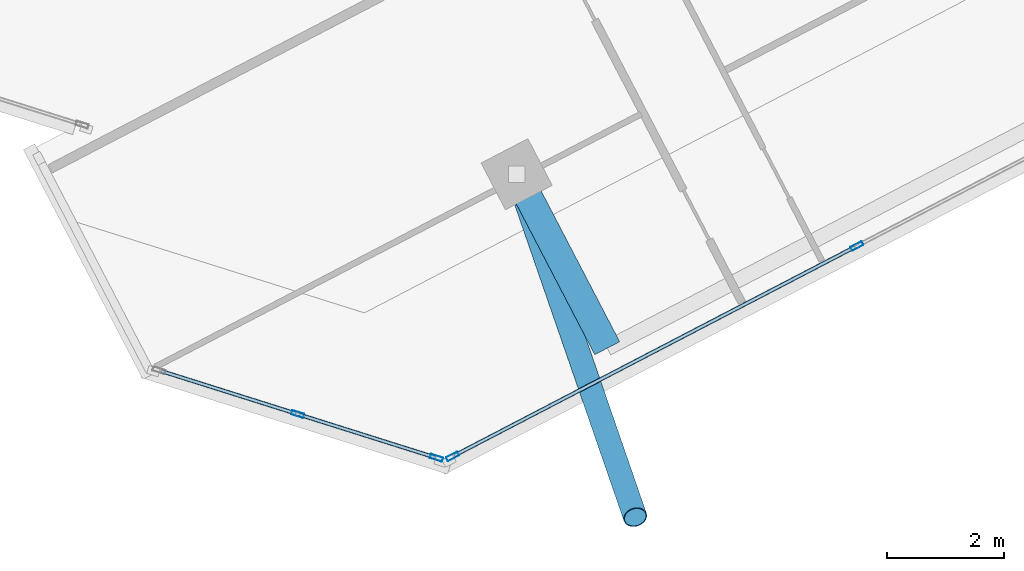
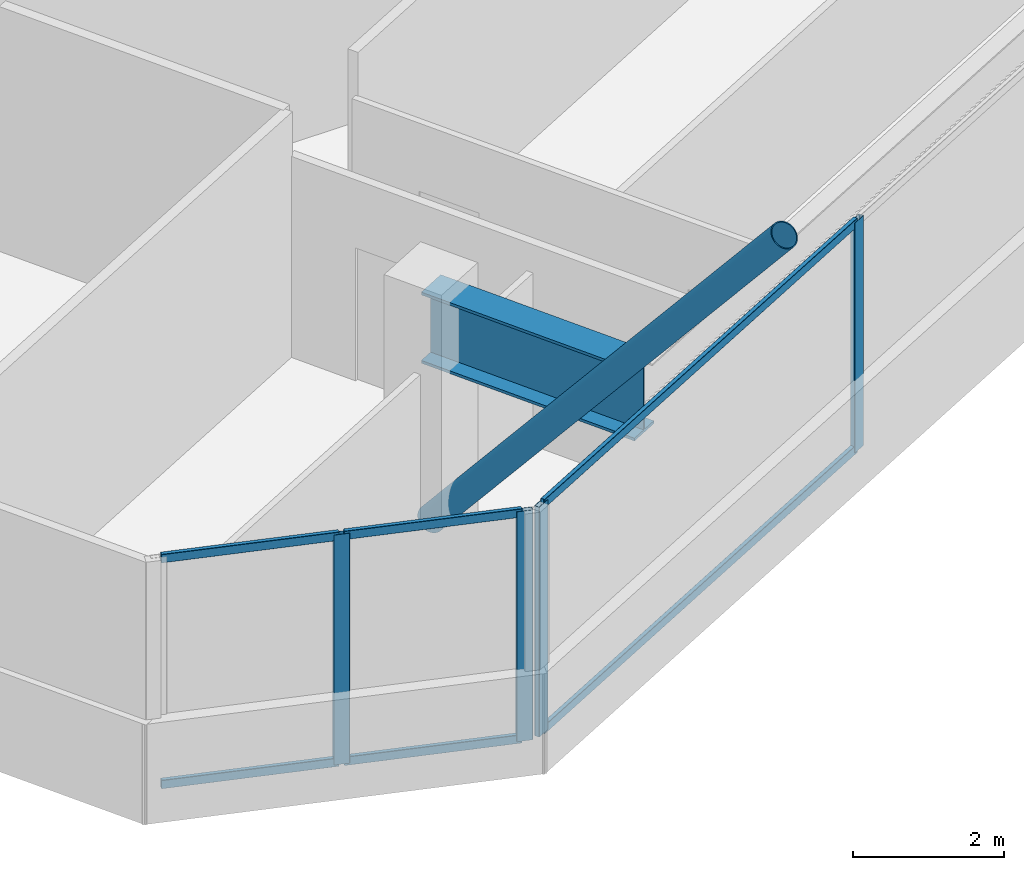
# One storey, part 3 of 17: 11 members, 1 beam, 2 elements without a shape of their own.
"""IFC4 building model written with IfcOpenShell, lengths in metres."""

from ifc_helpers import new_model, si_unit, direction, frame, origin, origin_2d, place, context, subcontext, project, spatial, hollow_rectangle, hollow_circle, i_section, extrude, source, transform, mapped, material, material_profile, profile_set, type_object, element, aggregate, save


model = new_model("IFC4")

# Units and contexts
model_context = context("Model", 3, precision=1e-05, world=origin(), true_north=direction((0.0, 1.0)))
body_context = subcontext(model_context, "Body", "Model", "MODEL_VIEW")
ifc_project = project(units=[si_unit("LENGTHUNIT", "METRE"), si_unit("AREAUNIT", "SQUARE_METRE"), si_unit("VOLUMEUNIT", "CUBIC_METRE"), si_unit("PLANEANGLEUNIT", "RADIAN"), si_unit("MASSUNIT", "GRAM", prefix="KILO")], contexts=[model_context])

# Site, building, storey
site_placement = place(None, origin())
site = spatial("IfcSite", under=ifc_project, at=site_placement, CompositionType="ELEMENT")
building_placement = place(site_placement, origin())
building = spatial("IfcBuilding", under=site, at=building_placement, Name="Torre Montelarca", CompositionType="ELEMENT")
storey_placement = place(building_placement, frame((0.0, 0.0, 332.39990234375)))
storey = spatial("IfcBuildingStorey", under=building, at=storey_placement, Name="L75", CompositionType="ELEMENT", Elevation=332.39990234375)

# Member
ifc_material_1 = material(Name="Steel ASTM A500 Grade C", Category="steel")
ifc_material_profile_1 = material_profile(ifc_material_1, hollow_circle(Radius=0.203125, WallThickness=0.015869140625, at=origin_2d()), Name="HSS406.4X15.9", Category="steel")
ifc_profile_set_1 = profile_set([ifc_material_profile_1], Name="Steel ASTM A500 Grade C")
member_type_1 = type_object("IfcMemberType", Name="MB-BR-CHS406-EXT", PredefinedType="BRACE", material=ifc_profile_set_1)
shared_shape_1 = source(origin(), body_context, "Body", "SweptSolid", [
    extrude(hollow_circle(Radius=0.203125, WallThickness=0.015869140625, at=origin_2d()), origin(), (0.0, 0.0, 1.0), 9.679443359375),
])
member_1_placement = place(storey_placement, frame((21.099365234375, 15.4443359375, 0.150146484375), z_axis=(0.209219210398, -0.605159314658, 0.768120775584), x_axis=(0.945111046474, 0.326749307319, 0.0)))
element("IfcMember", 1, at=member_1_placement, inside=storey, type_object=member_type_1, Name="L77 Sliding Tray Exterior Diagonal Raker Strut SKYLNG-E1", PredefinedType="BRACE", context=body_context, shape_type="MappedRepresentation", body=[
    mapped(shared_shape_1, transform((0.0, 0.0, 0.0), scale=1.0)),
])

# Beam
ifc_material_2 = material(Name="Steel ASTM A572 Grade 50", Category="steel")
ifc_material_profile_2 = material_profile(ifc_material_2, i_section(OverallWidth=0.47998046875, OverallDepth=1.14990234375, WebThickness=0.02197265625, FlangeThickness=0.044921875, at=origin_2d()), Name="PG1150X480X22X45", Category="steel")
ifc_profile_set_2 = profile_set([ifc_material_profile_2], Name="Steel ASTM A572 Grade 50")
beam_type = type_object("IfcBeamType", Name="BM-CG-PG1400-EXT", PredefinedType="USERDEFINED", material=ifc_profile_set_2)
shared_shape_2 = source(origin(), body_context, "Body", "SweptSolid", [
    extrude(i_section(OverallWidth=0.47998046875, OverallDepth=1.14990234375, WebThickness=0.02197265625, FlangeThickness=0.044921875, at=origin_2d()), origin(), (0.0, 0.0, 1.0), 3.349853515625),
])
beam_placement = place(storey_placement, frame((21.099365234375, 15.4443359375, 3.385009765625), z_axis=(0.461701502022, -0.887035356134, 0.0), x_axis=(0.887035356134, 0.461701502022, 0.0)))
element("IfcBeam", 2, at=beam_placement, inside=storey, type_object=beam_type, Name="L75 Sliding Tray Cantilever Girder East Y=24m (FLR)", ObjectType="CANTILEVER GIRDER", PredefinedType="USERDEFINED", context=body_context, shape_type="MappedRepresentation", body=[
    mapped(shared_shape_2, transform((0.0, 0.0, 0.0), scale=1.0)),
])

# Curtain wall, members
ifc_material_3 = material(Name="Insulated low-E laminated glass", Category="glass")
curtain_wall_type = type_object("IfcCurtainWallType", Name="CW-SYS-Z4", PredefinedType="USERDEFINED", material=ifc_material_3)
curtain_wall_1_placement = place(storey_placement, origin())
curtain_wall_1 = element("IfcCurtainWall", 3, at=curtain_wall_1_placement, inside=storey, type_object=curtain_wall_type, Name="L75 Curtain Wall Run CW-T3-L75-E05-B1", ObjectType="UNITISED GLAZING", PredefinedType="USERDEFINED")
ifc_material_4 = material(Name="Anodised aluminium AA 6063-T6", Category="aluminium")
ifc_material_profile_3 = material_profile(ifc_material_4, hollow_rectangle(XDim=0.074951171875, YDim=0.219970703125, WallThickness=0.0048828125, InnerFilletRadius=0.0048828125, OuterFilletRadius=0.010009765625, at=origin_2d()), Name="ALU75X220X5", Category="aluminium")
ifc_profile_set_3 = profile_set([ifc_material_profile_3], Name="Anodised aluminium AA 6063-T6")
member_type_2 = type_object("IfcMemberType", Name="CWM-ALU220", PredefinedType="MULLION", material=ifc_profile_set_3)
shared_shape_3 = source(origin(), body_context, "Body", "SweptSolid", [
    extrude(hollow_rectangle(XDim=0.074951171875, YDim=0.219970703125, WallThickness=0.0048828125, InnerFilletRadius=0.0048828125, OuterFilletRadius=0.010009765625, at=origin_2d()), origin(), (0.0, 0.0, 1.0), 3.72021484375),
])
member_2_placement = place(storey_placement, frame((17.360595703125, 11.34716796875, 0.0), z_axis=(0.0, 0.0, 1.0), x_axis=(0.300692834013, 0.953721038655, 0.0)))
member_2 = element("IfcMember", 4, at=member_2_placement, type_object=member_type_2, Name="CW mullion 2", PredefinedType="MULLION", context=body_context, shape_type="MappedRepresentation", body=[
    mapped(shared_shape_3, transform((0.0, 0.0, 0.0), scale=1.0)),
])
member_3_placement = place(storey_placement, frame((19.7294921875, 10.600341796875, 0.0), z_axis=(0.0, 0.0, 1.0), x_axis=(0.300692834013, 0.953721038655, 0.0)))
member_3 = element("IfcMember", 5, at=member_3_placement, type_object=member_type_2, Name="CW mullion 3", PredefinedType="MULLION", context=body_context, shape_type="MappedRepresentation", body=[
    mapped(shared_shape_3, transform((0.0, 0.0, 0.0), scale=1.0)),
])

curtain_wall_2_placement = place(storey_placement, origin())
curtain_wall_2 = element("IfcCurtainWall", 6, at=curtain_wall_2_placement, inside=storey, type_object=curtain_wall_type, Name="L75 Curtain Wall Run CW-T3-L75-E06-B1", ObjectType="UNITISED GLAZING", PredefinedType="USERDEFINED")
member_4_placement = place(storey_placement, frame((20.004638671875, 10.624267578125, 0.0), z_axis=(0.0, 0.0, 1.0), x_axis=(-0.461745658928, 0.887012371087, 0.0)))
member_4 = element("IfcMember", 7, at=member_4_placement, type_object=member_type_2, Name="CW mullion 1", PredefinedType="MULLION", context=body_context, shape_type="MappedRepresentation", body=[
    mapped(shared_shape_3, transform((0.0, 0.0, 0.0), scale=1.0)),
])
member_5_placement = place(storey_placement, frame((26.91015625, 14.21923828125, 0.0), z_axis=(0.0, 0.0, 1.0), x_axis=(-0.461745658928, 0.887012371087, 0.0)))
member_5 = element("IfcMember", 8, at=member_5_placement, type_object=member_type_2, Name="CW mullion 2", PredefinedType="MULLION", context=body_context, shape_type="MappedRepresentation", body=[
    mapped(shared_shape_3, transform((0.0, 0.0, 0.0), scale=1.0)),
])

# Member
ifc_material_profile_4 = material_profile(ifc_material_4, hollow_rectangle(XDim=0.06494140625, YDim=0.139892578125, WallThickness=0.00390625, InnerFilletRadius=0.00390625, OuterFilletRadius=0.008056640625, at=origin_2d()), Name="ALU65X140X4", Category="aluminium")
ifc_profile_set_4 = profile_set([ifc_material_profile_4], Name="Anodised aluminium AA 6063-T6")
member_type_3 = type_object("IfcMemberType", Name="CWT-ALU140", PredefinedType="USERDEFINED", material=ifc_profile_set_4)
shared_shape_4 = source(origin(), body_context, "Body", "SweptSolid", [
    extrude(hollow_rectangle(XDim=0.06494140625, YDim=0.139892578125, WallThickness=0.00390625, InnerFilletRadius=0.00390625, OuterFilletRadius=0.008056640625, at=origin_2d()), origin(), (0.0, 0.0, 1.0), 2.40869140625),
])
member_6_placement = place(storey_placement, frame((15.02783203125, 12.082763671875, 0.03271484375), z_axis=(0.953706668557, -0.300738408504, 0.0), x_axis=(0.300738408504, 0.953706668557, 0.0)))
member_6 = element("IfcMember", 9, at=member_6_placement, type_object=member_type_3, Name="CW transom 1.1", ObjectType="TRANSOM", PredefinedType="USERDEFINED", context=body_context, shape_type="MappedRepresentation", body=[
    mapped(shared_shape_4, transform((0.0, 0.0, 0.0), scale=1.0)),
])

member_7_placement = place(storey_placement, frame((15.02783203125, 12.082763671875, 3.6875), z_axis=(0.953706668557, -0.300738408504, 0.0), x_axis=(0.300738408504, 0.953706668557, 0.0)))
member_7 = element("IfcMember", 10, at=member_7_placement, type_object=member_type_3, Name="CW transom 1.2", ObjectType="TRANSOM", PredefinedType="USERDEFINED", context=body_context, shape_type="MappedRepresentation", body=[
    mapped(shared_shape_4, transform((0.0, 0.0, 0.0), scale=1.0)),
])

member_8_placement = place(storey_placement, frame((17.396484375, 11.3359375, 0.03271484375), z_axis=(0.953706668557, -0.300738408504, 0.0), x_axis=(0.300738408504, 0.953706668557, 0.0)))
member_8 = element("IfcMember", 11, at=member_8_placement, type_object=member_type_3, Name="CW transom 2.1", ObjectType="TRANSOM", PredefinedType="USERDEFINED", context=body_context, shape_type="MappedRepresentation", body=[
    mapped(shared_shape_4, transform((0.0, 0.0, 0.0), scale=1.0)),
])

member_9_placement = place(storey_placement, frame((17.396484375, 11.3359375, 3.6875), z_axis=(0.953706668557, -0.300738408504, 0.0), x_axis=(0.300738408504, 0.953706668557, 0.0)))
member_9 = element("IfcMember", 12, at=member_9_placement, type_object=member_type_3, Name="CW transom 2.2", ObjectType="TRANSOM", PredefinedType="USERDEFINED", context=body_context, shape_type="MappedRepresentation", body=[
    mapped(shared_shape_4, transform((0.0, 0.0, 0.0), scale=1.0)),
])

aggregate(curtain_wall_1, [member_2, member_3, member_6, member_7, member_8, member_9])

shared_shape_5 = source(origin(), body_context, "Body", "SweptSolid", [
    extrude(hollow_rectangle(XDim=0.06494140625, YDim=0.139892578125, WallThickness=0.00390625, InnerFilletRadius=0.00390625, OuterFilletRadius=0.008056640625, at=origin_2d()), origin(), (0.0, 0.0, 1.0), 7.71044921875),
])
member_10_placement = place(storey_placement, frame((20.037841796875, 10.6416015625, 0.03271484375), z_axis=(0.88700622643, 0.461757462608, 0.0), x_axis=(-0.461757462608, 0.88700622643, 0.0)))
member_10 = element("IfcMember", 13, at=member_10_placement, type_object=member_type_3, Name="CW transom 1.1", ObjectType="TRANSOM", PredefinedType="USERDEFINED", context=body_context, shape_type="MappedRepresentation", body=[
    mapped(shared_shape_5, transform((0.0, 0.0, 0.0), scale=1.0)),
])

member_11_placement = place(storey_placement, frame((20.037841796875, 10.6416015625, 3.6875), z_axis=(0.88700622643, 0.461757462608, 0.0), x_axis=(-0.461757462608, 0.88700622643, 0.0)))
member_11 = element("IfcMember", 14, at=member_11_placement, type_object=member_type_3, Name="CW transom 1.2", ObjectType="TRANSOM", PredefinedType="USERDEFINED", context=body_context, shape_type="MappedRepresentation", body=[
    mapped(shared_shape_5, transform((0.0, 0.0, 0.0), scale=1.0)),
])

aggregate(curtain_wall_2, [member_4, member_5, member_10, member_11])

save(model, "model.ifc")
